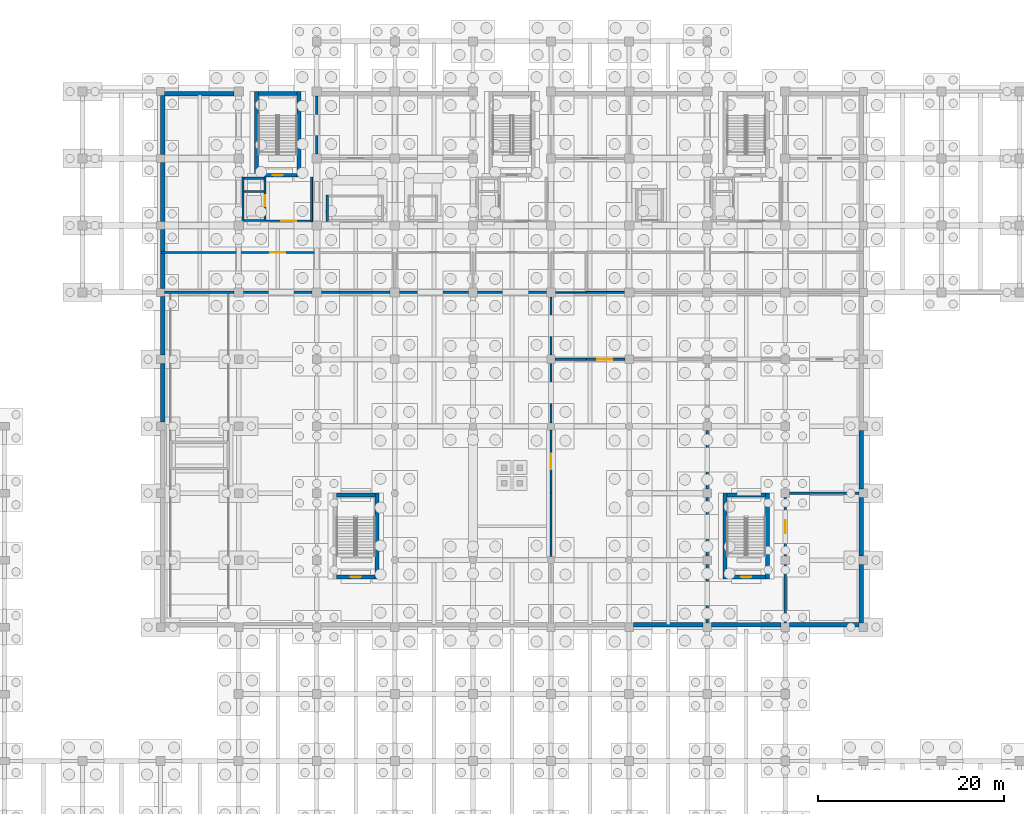
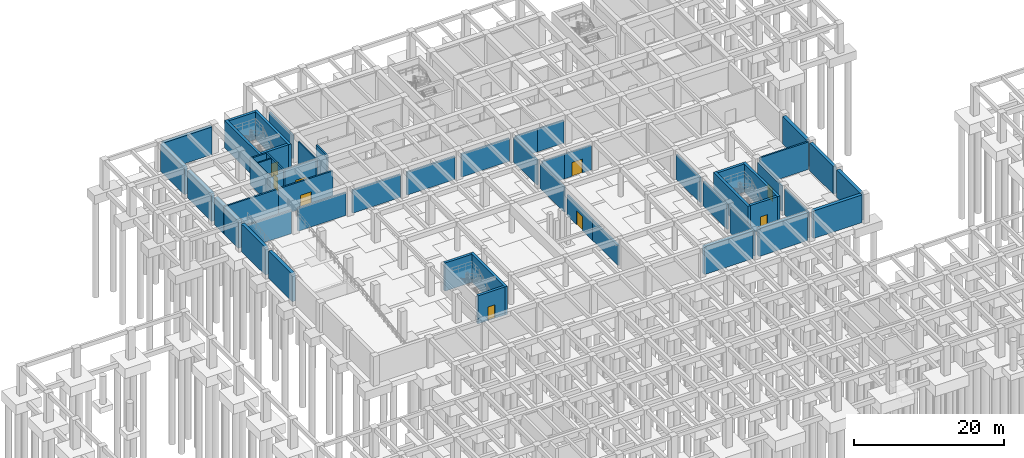
# One storey, part 18 of 26: 53 walls, 9 doors, 9 openings.
"""IFC4 building model written with IfcOpenShell, lengths in metres."""

from ifc_helpers import new_model, si_unit, direction, frame, frame_2d, origin, place, context, subcontext, project, spatial, rectangle, extrude, material, layer, layer_set, type_object, element, fill, save


model = new_model("IFC4")

# Units and contexts
model_context = context("Model", 3, precision=1e-05, world=origin(), true_north=direction((0.0, 1.0)))
body_context = subcontext(model_context, "Body", "Model", "MODEL_VIEW")
ifc_project = project(units=[si_unit("LENGTHUNIT", "METRE"), si_unit("AREAUNIT", "SQUARE_METRE"), si_unit("VOLUMEUNIT", "CUBIC_METRE"), si_unit("PLANEANGLEUNIT", "RADIAN"), si_unit("MASSUNIT", "GRAM", prefix="KILO")], contexts=[model_context])

# Site, building, storey
site_placement = place(None, origin())
site = spatial("IfcSite", under=ifc_project, at=site_placement, CompositionType="ELEMENT")
building_placement = place(site_placement, origin())
building = spatial("IfcBuilding", under=site, at=building_placement, Name="Kenerak Square Central Library", CompositionType="ELEMENT")
storey_placement = place(building_placement, frame((0.0, 0.0, -4.800048828125)))
storey = spatial("IfcBuildingStorey", under=building, at=storey_placement, Name="B1", CompositionType="ELEMENT", Elevation=-4.800048828125)

# Walls
ifc_material_1 = material(Name="Concrete C40/50", Category="concrete")
ifc_layer_1 = layer(ifc_material_1, 0.25)
ifc_layer_set_1 = layer_set([ifc_layer_1], Name="Concrete C40/50")
wall_type_1 = type_object("IfcWallType", Name="Archive Compartment Wall IW-250 C40/50", PredefinedType="SOLIDWALL", material=ifc_layer_set_1)
wall_1_placement = place(storey_placement, frame((92.0, 88.300048828125, 0.0), z_axis=(0.0, 0.0, 1.0), x_axis=(0.0, -1.0, 0.0)))
element("IfcWall", 1, at=wall_1_placement, inside=storey, type_object=wall_type_1, Name="Interior Wall IW-B1-01-E2-B1", PredefinedType="SOLIDWALL", context=body_context, shape_type="SweptSolid", body=[
    extrude(rectangle(XDim=6.25, YDim=0.25, at=frame_2d((3.125, 0.0))), origin(), (0.0, 0.0, 1.0), 4.050048828125),
])
wall_2_placement = place(storey_placement, frame((92.0, 81.14990234375, 0.0), z_axis=(0.0, 0.0, 1.0), x_axis=(0.0, -1.0, 0.0)))
element("IfcWall", 2, at=wall_2_placement, inside=storey, type_object=wall_type_1, Name="Interior Wall IW-B1-01-E2-B2", PredefinedType="SOLIDWALL", context=body_context, shape_type="SweptSolid", body=[
    extrude(rectangle(XDim=6.375, YDim=0.25, at=frame_2d((3.1875, 0.0))), origin(), (0.0, 0.0, 1.0), 4.050048828125),
])

# Wall, opening, door
wall_3_placement = place(storey_placement, frame((92.0, 74.02490234375, 0.0), z_axis=(0.0, 0.0, 1.0), x_axis=(0.0, -1.0, 0.0)))
wall_3 = element("IfcWall", 3, at=wall_3_placement, inside=storey, type_object=wall_type_1, Name="Interior Wall IW-B1-01-E2-B3", PredefinedType="SOLIDWALL", context=body_context, shape_type="SweptSolid", body=[
    extrude(rectangle(XDim=6.824951171875, YDim=0.25, at=frame_2d((3.41259765625, 0.0))), origin(), (0.0, 0.0, 1.0), 3.300048828125),
])
opening_1_placement = place(wall_3_placement, frame((2.58740234375, 0.0, 0.0)))
opening_1 = element("IfcOpeningElement", 4, at=opening_1_placement, cuts=wall_3, Name="Opening ID-08", PredefinedType="OPENING", context=body_context, shape_type="SweptSolid", body=[
    extrude(rectangle(XDim=1.64990234375, YDim=2.25, at=frame_2d((0.824951171875, 1.125))), frame((0.0, 0.135009765625, 0.0), z_axis=(0.0, -1.0, 0.0), x_axis=(1.0, 0.0, 0.0)), (0.0, 0.0, 1.0), 0.27001953125),
])
ifc_material_2 = material(Name="Steel S355", Category="steel")
door_type_1 = type_object("IfcDoorType", Name="Vault Fire Compartment Double Door ID-1650x2250 FD120S", OperationType="NOTDEFINED", PredefinedType="DOOR", material=ifc_material_2)
door_1_placement = place(opening_1_placement, origin())
door_1 = element("IfcDoor", 5, at=door_1_placement, inside=storey, type_object=door_type_1, Name="Basement Car Park Loop and Accessible Bays Door", OperationType="DOUBLE_DOOR_SINGLE_SWING", OverallHeight=2.25, OverallWidth=1.64990234375, PredefinedType="DOOR", context=body_context, shape_type="SweptSolid", body=[
    extrude(rectangle(XDim=1.64990234375, YDim=2.25, at=frame_2d((0.824951171875, 1.125))), frame((0.0, 0.02490234375, 0.0), z_axis=(0.0, -1.0, 0.0), x_axis=(1.0, 0.0, 0.0)), (0.0, 0.0, 1.0), 0.050048828125),
])
fill(opening_1, door_1)

# Walls
wall_4_placement = place(storey_placement, frame((92.0, 67.199951171875, 0.0), z_axis=(0.0, 0.0, 1.0), x_axis=(0.0, -1.0, 0.0)))
element("IfcWall", 6, at=wall_4_placement, inside=storey, type_object=wall_type_1, Name="Interior Wall IW-B1-01-E2-B4", PredefinedType="SOLIDWALL", context=body_context, shape_type="SweptSolid", body=[
    extrude(rectangle(XDim=6.824951171875, YDim=0.25, at=frame_2d((3.41259765625, 0.0))), origin(), (0.0, 0.0, 1.0), 3.300048828125),
])
wall_5_placement = place(storey_placement, frame((92.449951171875, 81.60009765625, 0.0), z_axis=(0.0, 0.0, 1.0), x_axis=(1.0, 0.0, 0.0)))
element("IfcWall", 7, at=wall_5_placement, inside=storey, type_object=wall_type_1, Name="Interior Wall IW-B1-02-N1-B1", PredefinedType="SOLIDWALL", context=body_context, shape_type="SweptSolid", body=[
    extrude(rectangle(XDim=3.35009765625, YDim=0.25, at=frame_2d((1.675048828125, 0.0))), origin(), (0.0, 0.0, 1.0), 4.0),
])

# Wall, opening, door
wall_6_placement = place(storey_placement, frame((95.800048828125, 81.60009765625, 0.0), z_axis=(0.0, 0.0, 1.0), x_axis=(1.0, 0.0, 0.0)))
wall_6 = element("IfcWall", 8, at=wall_6_placement, inside=storey, type_object=wall_type_1, Name="Interior Wall IW-B1-02-N1-B2", PredefinedType="SOLIDWALL", context=body_context, shape_type="SweptSolid", body=[
    extrude(rectangle(XDim=4.14990234375, YDim=0.25, at=frame_2d((2.074951171875, 0.0))), origin(), (0.0, 0.0, 1.0), 4.0),
])
opening_2_placement = place(wall_6_placement, frame((1.14990234375, 0.0, 0.0)))
opening_2 = element("IfcOpeningElement", 9, at=opening_2_placement, cuts=wall_6, Name="Opening ID-08", PredefinedType="OPENING", context=body_context, shape_type="SweptSolid", body=[
    extrude(rectangle(XDim=1.64990234375, YDim=2.25, at=frame_2d((0.824951171875, 1.125))), frame((0.0, 0.135009765625, 0.0), z_axis=(0.0, -1.0, 0.0), x_axis=(1.0, 0.0, 0.0)), (0.0, 0.0, 1.0), 0.27001953125),
])
door_2_placement = place(opening_2_placement, origin())
door_2 = element("IfcDoor", 10, at=door_2_placement, inside=storey, type_object=door_type_1, Name="Compact Mobile-Shelving Archive Vault West Door", OperationType="DOUBLE_DOOR_SINGLE_SWING", OverallHeight=2.25, OverallWidth=1.64990234375, PredefinedType="DOOR", context=body_context, shape_type="SweptSolid", body=[
    extrude(rectangle(XDim=1.64990234375, YDim=2.25, at=frame_2d((0.824951171875, 1.125))), frame((0.0, 0.02490234375, 0.0), z_axis=(0.0, -1.0, 0.0), x_axis=(1.0, 0.0, 0.0)), (0.0, 0.0, 1.0), 0.050048828125),
])
fill(opening_2, door_2)

# Wall
wall_7_placement = place(storey_placement, frame((50.0, 93.10009765625, 0.0), z_axis=(0.0, 0.0, 1.0), x_axis=(1.0, 0.0, 0.0)))
element("IfcWall", 11, at=wall_7_placement, inside=storey, type_object=wall_type_1, Name="Interior Wall IW-B1-04-N1-B1", PredefinedType="SOLIDWALL", context=body_context, shape_type="SweptSolid", body=[
    extrude(rectangle(XDim=8.39990234375, YDim=0.25, at=frame_2d((4.199951171875, 0.0))), origin(), (0.0, 0.0, 1.0), 4.5),
])

# Wall, opening, door
wall_8_placement = place(storey_placement, frame((58.39990234375, 93.10009765625, 0.0), z_axis=(0.0, 0.0, 1.0), x_axis=(1.0, 0.0, 0.0)))
wall_8 = element("IfcWall", 12, at=wall_8_placement, inside=storey, type_object=wall_type_1, Name="Interior Wall IW-B1-04-N1-B2", PredefinedType="SOLIDWALL", context=body_context, shape_type="SweptSolid", body=[
    extrude(rectangle(XDim=8.400146484375, YDim=0.25, at=frame_2d((4.2001953125, 0.0))), origin(), (0.0, 0.0, 1.0), 4.5),
])
opening_3_placement = place(wall_8_placement, frame((3.375, 0.0, 0.0)))
opening_3 = element("IfcOpeningElement", 13, at=opening_3_placement, cuts=wall_8, Name="Opening ID-08", PredefinedType="OPENING", context=body_context, shape_type="SweptSolid", body=[
    extrude(rectangle(XDim=1.64990234375, YDim=2.25, at=frame_2d((0.824951171875, 1.125))), frame((0.0, 0.135009765625, 0.0), z_axis=(0.0, -1.0, 0.0), x_axis=(1.0, 0.0, 0.0)), (0.0, 0.0, 1.0), 0.27001953125),
])
door_3_placement = place(opening_3_placement, origin())
door_3 = element("IfcDoor", 14, at=door_3_placement, inside=storey, type_object=door_type_1, Name="Rare-Books Cold Preservation Vault Door", OperationType="DOUBLE_DOOR_SINGLE_SWING", OverallHeight=2.25, OverallWidth=1.64990234375, PredefinedType="DOOR", context=body_context, shape_type="SweptSolid", body=[
    extrude(rectangle(XDim=1.64990234375, YDim=2.25, at=frame_2d((0.824951171875, 1.125))), frame((0.0, 0.02490234375, 0.0), z_axis=(0.0, -1.0, 0.0), x_axis=(1.0, 0.0, 0.0)), (0.0, 0.0, 1.0), 0.050048828125),
])
fill(opening_3, door_3)

# Wall
wall_9_placement = place(storey_placement, frame((117.199951171875, 53.25, 0.0), z_axis=(0.0, 0.0, 1.0), x_axis=(0.0, 1.0, 0.0)))
element("IfcWall", 15, at=wall_9_placement, inside=storey, type_object=wall_type_1, Name="Interior Wall IW-B1-05-W2-B1", PredefinedType="SOLIDWALL", context=body_context, shape_type="SweptSolid", body=[
    extrude(rectangle(XDim=6.300048828125, YDim=0.25, at=frame_2d((3.14990234375, 0.0))), origin(), (0.0, 0.0, 1.0), 4.199951171875),
])

# Wall, opening, door
wall_10_placement = place(storey_placement, frame((117.199951171875, 60.449951171875, 0.0), z_axis=(0.0, 0.0, 1.0), x_axis=(0.0, 1.0, 0.0)))
wall_10 = element("IfcWall", 16, at=wall_10_placement, inside=storey, type_object=wall_type_1, Name="Interior Wall IW-B1-05-W2-B2", PredefinedType="SOLIDWALL", context=body_context, shape_type="SweptSolid", body=[
    extrude(rectangle(XDim=6.300048828125, YDim=0.25, at=frame_2d((3.14990234375, 0.0))), origin(), (0.0, 0.0, 1.0), 4.199951171875),
])
opening_4_placement = place(wall_10_placement, frame((2.449951171875, 0.0, 0.0)))
opening_4 = element("IfcOpeningElement", 17, at=opening_4_placement, cuts=wall_10, Name="Opening ID-07", PredefinedType="OPENING", context=body_context, shape_type="SweptSolid", body=[
    extrude(rectangle(XDim=1.39990234375, YDim=2.199951171875, at=frame_2d((0.699951171875, 1.10009765625))), frame((0.0, 0.135009765625, 0.0), z_axis=(0.0, -1.0, 0.0), x_axis=(1.0, 0.0, 0.0)), (0.0, 0.0, 1.0), 0.27001953125),
])
door_type_2 = type_object("IfcDoorType", Name="Plant and Store Unequal Pair Door ID-1400x2200 FD60S", OperationType="NOTDEFINED", PredefinedType="DOOR", material=ifc_material_2)
door_4_placement = place(opening_4_placement, origin())
door_4 = element("IfcDoor", 18, at=door_4_placement, inside=storey, type_object=door_type_2, Name="Central Chiller and Sprinkler Pump Plant Room Door", OperationType="SINGLE_SWING_LEFT", OverallHeight=2.199951171875, OverallWidth=1.39990234375, PredefinedType="DOOR", context=body_context, shape_type="SweptSolid", body=[
    extrude(rectangle(XDim=1.39990234375, YDim=2.199951171875, at=frame_2d((0.699951171875, 1.10009765625))), frame((0.0, 0.02490234375, 0.0), z_axis=(0.0, -1.0, 0.0), x_axis=(1.0, 0.0, 0.0)), (0.0, 0.0, 1.0), 0.050048828125),
])
fill(opening_4, door_4)

# Walls
wall_11_placement = place(storey_placement, frame((50.425048828125, 88.800048828125, 0.0), z_axis=(0.0, 0.0, 1.0), x_axis=(1.0, 0.0, 0.0)))
element("IfcWall", 19, at=wall_11_placement, inside=storey, type_object=wall_type_1, Name="Interior Wall IW-B1-01-N1-B1", PredefinedType="SOLIDWALL", context=body_context, shape_type="SweptSolid", body=[
    extrude(rectangle(XDim=7.474853515625, YDim=0.25, at=frame_2d((3.7373046875, 0.0))), origin(), (0.0, 0.0, 1.0), 3.75),
])
wall_12_placement = place(storey_placement, frame((58.89990234375, 88.800048828125, 0.0), z_axis=(0.0, 0.0, 1.0), x_axis=(1.0, 0.0, 0.0)))
element("IfcWall", 20, at=wall_12_placement, inside=storey, type_object=wall_type_1, Name="Interior Wall IW-B1-01-N1-B2", PredefinedType="SOLIDWALL", context=body_context, shape_type="SweptSolid", body=[
    extrude(rectangle(XDim=7.400146484375, YDim=0.25, at=frame_2d((3.7001953125, 0.0))), origin(), (0.0, 0.0, 1.0), 3.75),
])
wall_13_placement = place(storey_placement, frame((67.300048828125, 88.800048828125, 0.0), z_axis=(0.0, 0.0, 1.0), x_axis=(1.0, 0.0, 0.0)))
element("IfcWall", 21, at=wall_13_placement, inside=storey, type_object=wall_type_1, Name="Interior Wall IW-B1-01-N1-B3", PredefinedType="SOLIDWALL", context=body_context, shape_type="SweptSolid", body=[
    extrude(rectangle(XDim=7.39990234375, YDim=0.25, at=frame_2d((3.699951171875, 0.0))), origin(), (0.0, 0.0, 1.0), 3.75),
])
wall_14_placement = place(storey_placement, frame((75.699951171875, 88.800048828125, 0.0), z_axis=(0.0, 0.0, 1.0), x_axis=(1.0, 0.0, 0.0)))
element("IfcWall", 22, at=wall_14_placement, inside=storey, type_object=wall_type_1, Name="Interior Wall IW-B1-01-N1-B4", PredefinedType="SOLIDWALL", context=body_context, shape_type="SweptSolid", body=[
    extrude(rectangle(XDim=7.400146484375, YDim=0.25, at=frame_2d((3.7001953125, 0.0))), origin(), (0.0, 0.0, 1.0), 3.75),
])
wall_15_placement = place(storey_placement, frame((84.10009765625, 88.800048828125, 0.0), z_axis=(0.0, 0.0, 1.0), x_axis=(1.0, 0.0, 0.0)))
element("IfcWall", 23, at=wall_15_placement, inside=storey, type_object=wall_type_1, Name="Interior Wall IW-B1-01-N1-B5", PredefinedType="SOLIDWALL", context=body_context, shape_type="SweptSolid", body=[
    extrude(rectangle(XDim=7.39990234375, YDim=0.25, at=frame_2d((3.699951171875, 0.0))), origin(), (0.0, 0.0, 1.0), 3.75),
])
for number, where, z_axis, x_axis, name in (
    (24, (108.800048828125, 73.949951171875, 0.0), (0.0, 0.0, 1.0), (0.0, -1.0, 0.0), "Interior Wall IW-B1-02-E3-B2"),
    (25, (108.800048828125, 66.75, 0.0), (0.0, 0.0, 1.0), (0.0, -1.0, 0.0), "Interior Wall IW-B1-02-E3-B3"),
    (26, (108.800048828125, 59.550048828125, 0.0), (0.0, 0.0, 1.0), (0.0, -1.0, 0.0), "Interior Wall IW-B1-02-E3-B4"),
):
    element("IfcWall", number, at=place(storey_placement, frame(where, z_axis=z_axis, x_axis=x_axis)), inside=storey, type_object=wall_type_1, Name=name, PredefinedType="SOLIDWALL", context=body_context, shape_type="SweptSolid", body=[
        extrude(rectangle(XDim=6.300048828125, YDim=0.25, at=frame_2d((3.14990234375, 0.0))), origin(), (0.0, 0.0, 1.0), 4.050048828125),
    ])
wall_16_placement = place(storey_placement, frame((125.14990234375, 67.199951171875, 0.0), z_axis=(0.0, 0.0, 1.0), x_axis=(-1.0, 0.0, 0.0)))
element("IfcWall", 27, at=wall_16_placement, inside=storey, type_object=wall_type_1, Name="Interior Wall IW-B1-03-S2-B1", PredefinedType="SOLIDWALL", context=body_context, shape_type="SweptSolid", body=[
    extrude(rectangle(XDim=7.5, YDim=0.25, at=frame_2d((3.75, 0.0))), origin(), (0.0, 0.0, 1.0), 4.5),
])
wall_17_placement = place(storey_placement, frame((66.800048828125, 103.699951171875, 0.0), z_axis=(0.0, 0.0, 1.0), x_axis=(0.0, 1.0, 0.0)))
element("IfcWall", 28, at=wall_17_placement, inside=storey, type_object=wall_type_1, Name="Interior Wall IW-B1-11-W2-B1", PredefinedType="SOLIDWALL", context=body_context, shape_type="SweptSolid", body=[
    extrude(rectangle(XDim=6.199951171875, YDim=0.25, at=frame_2d((3.10009765625, 0.0))), origin(), (0.0, 0.0, 1.0), 3.85009765625),
])
ifc_layer_2 = layer(ifc_material_1, 0.39990234375)
ifc_layer_set_2 = layer_set([ifc_layer_2], Name="Concrete C40/50")
wall_type_2 = type_object("IfcWallType", Name="Core Shear Wall CW-400 C40/50", PredefinedType="SHEAR", material=ifc_layer_set_2)
for number, where, z_axis, x_axis, name in (
    (29, (60.320068359375, 101.199951171875, 0.0), (0.0, 0.0, 1.0), (0.0, 1.0, 0.0), "Core Wall CW-C1 B1 West"),
    (30, (64.8798828125, 110.39990234375, 0.0), (0.0, 0.0, 1.0), (0.0, -1.0, 0.0), "Core Wall CW-C1 B1 East"),
):
    element("IfcWall", number, at=place(storey_placement, frame(where, z_axis=z_axis, x_axis=x_axis)), inside=storey, type_object=wall_type_2, Name=name, PredefinedType="SHEAR", context=body_context, shape_type="SweptSolid", body=[
        extrude(rectangle(XDim=9.199951171875, YDim=0.39990234375, at=frame_2d((4.60009765625, 0.0))), origin(), (0.0, 0.0, 1.0), 4.5),
    ])

# Wall, opening, door
wall_18_placement = place(storey_placement, frame((64.679931640625, 101.39990234375, 0.0), z_axis=(0.0, 0.0, 1.0), x_axis=(-1.0, 0.0, 0.0)))
wall_18 = element("IfcWall", 31, at=wall_18_placement, inside=storey, type_object=wall_type_2, Name="Core Wall CW-C1 B1 South", PredefinedType="SHEAR", context=body_context, shape_type="SweptSolid", body=[
    extrude(rectangle(XDim=4.159912109375, YDim=0.39990234375, at=frame_2d((2.080078125, 0.0))), origin(), (0.0, 0.0, 1.0), 4.5),
])
opening_5_placement = place(wall_18_placement, frame((1.530029296875, 0.0, 0.0)))
opening_5 = element("IfcOpeningElement", 32, at=opening_5_placement, cuts=wall_18, Name="Opening D-ST1", PredefinedType="OPENING", context=body_context, shape_type="SweptSolid", body=[
    extrude(rectangle(XDim=1.10009765625, YDim=2.199951171875, at=frame_2d((0.550048828125, 1.10009765625))), frame((0.0, 0.2099609375, 0.0), z_axis=(0.0, -1.0, 0.0), x_axis=(1.0, 0.0, 0.0)), (0.0, 0.0, 1.0), 0.419921875),
])
door_type_3 = type_object("IfcDoorType", Name="Protected Stair Fire Door FD-1100x2200 FD60S", OperationType="NOTDEFINED", PredefinedType="DOOR", material=ifc_material_2)
door_5_placement = place(opening_5_placement, frame((1.10009765625, 0.0, 0.0), z_axis=(0.0, 0.0, 1.0), x_axis=(-1.0, 0.0, 0.0)))
door_5 = element("IfcDoor", 33, at=door_5_placement, inside=storey, type_object=door_type_3, Name="Stair Door ST-01 B1", OperationType="SINGLE_SWING_RIGHT", OverallHeight=2.199951171875, OverallWidth=1.10009765625, PredefinedType="DOOR", context=body_context, shape_type="SweptSolid", body=[
    extrude(rectangle(XDim=1.10009765625, YDim=2.199951171875, at=frame_2d((0.550048828125, 1.10009765625))), frame((0.0, 0.02490234375, 0.0), z_axis=(0.0, -1.0, 0.0), x_axis=(1.0, 0.0, 0.0)), (0.0, 0.0, 1.0), 0.050048828125),
])
fill(opening_5, door_5)

# Walls
wall_19_placement = place(storey_placement, frame((60.52001953125, 110.199951171875, 0.0), z_axis=(0.0, 0.0, 1.0), x_axis=(1.0, 0.0, 0.0)))
element("IfcWall", 34, at=wall_19_placement, inside=storey, type_object=wall_type_2, Name="Core Wall CW-C1 B1 North", PredefinedType="SHEAR", context=body_context, shape_type="SweptSolid", body=[
    extrude(rectangle(XDim=4.159912109375, YDim=0.39990234375, at=frame_2d((2.080078125, 0.0))), origin(), (0.0, 0.0, 1.0), 4.5),
])
wall_20_placement = place(storey_placement, frame((73.280029296875, 67.199951171875, 0.0), z_axis=(0.0, 0.0, 1.0), x_axis=(0.0, -1.0, 0.0)))
element("IfcWall", 35, at=wall_20_placement, inside=storey, type_object=wall_type_2, Name="Core Wall CW-C8 B1 East", PredefinedType="SHEAR", context=body_context, shape_type="SweptSolid", body=[
    extrude(rectangle(XDim=9.199951171875, YDim=0.39990234375, at=frame_2d((4.60009765625, 0.0))), origin(), (0.0, 0.0, 1.0), 4.574951171875),
])

# Wall, opening, door
wall_21_placement = place(storey_placement, frame((73.080078125, 58.199951171875, 0.0), z_axis=(0.0, 0.0, 1.0), x_axis=(-1.0, 0.0, 0.0)))
wall_21 = element("IfcWall", 36, at=wall_21_placement, inside=storey, type_object=wall_type_2, Name="Core Wall CW-C8 B1 South", PredefinedType="SHEAR", context=body_context, shape_type="SweptSolid", body=[
    extrude(rectangle(XDim=4.16015625, YDim=0.39990234375, at=frame_2d((2.080078125, 0.0))), origin(), (0.0, 0.0, 1.0), 4.574951171875),
])
opening_6_placement = place(wall_21_placement, frame((1.530029296875, 0.0, 0.0)))
opening_6 = element("IfcOpeningElement", 37, at=opening_6_placement, cuts=wall_21, Name="Opening D-ST1", PredefinedType="OPENING", context=body_context, shape_type="SweptSolid", body=[
    extrude(rectangle(XDim=1.10009765625, YDim=2.199951171875, at=frame_2d((0.550048828125, 1.10009765625))), frame((0.0, 0.2099609375, 0.0), z_axis=(0.0, -1.0, 0.0), x_axis=(1.0, 0.0, 0.0)), (0.0, 0.0, 1.0), 0.419921875),
])
door_6_placement = place(opening_6_placement, frame((1.10009765625, 0.0, 0.0), z_axis=(0.0, 0.0, 1.0), x_axis=(-1.0, 0.0, 0.0)))
door_6 = element("IfcDoor", 38, at=door_6_placement, inside=storey, type_object=door_type_3, Name="Stair Door ST-08 B1", OperationType="SINGLE_SWING_LEFT", OverallHeight=2.199951171875, OverallWidth=1.10009765625, PredefinedType="DOOR", context=body_context, shape_type="SweptSolid", body=[
    extrude(rectangle(XDim=1.10009765625, YDim=2.199951171875, at=frame_2d((0.550048828125, 1.10009765625))), frame((0.0, 0.02490234375, 0.0), z_axis=(0.0, -1.0, 0.0), x_axis=(1.0, 0.0, 0.0)), (0.0, 0.0, 1.0), 0.050048828125),
])
fill(opening_6, door_6)

# Walls
wall_22_placement = place(storey_placement, frame((68.919921875, 67.0, 0.0), z_axis=(0.0, 0.0, 1.0), x_axis=(1.0, 0.0, 0.0)))
element("IfcWall", 39, at=wall_22_placement, inside=storey, type_object=wall_type_2, Name="Core Wall CW-C8 B1 North", PredefinedType="SHEAR", context=body_context, shape_type="SweptSolid", body=[
    extrude(rectangle(XDim=4.16015625, YDim=0.39990234375, at=frame_2d((2.080078125, 0.0))), origin(), (0.0, 0.0, 1.0), 4.574951171875),
])
for number, where, z_axis, x_axis, name in (
    (40, (110.719970703125, 58.0, 0.0), (0.0, 0.0, 1.0), (0.0, 1.0, 0.0), "Core Wall CW-C9 B1 West"),
    (41, (115.280029296875, 67.199951171875, 0.0), (0.0, 0.0, 1.0), (0.0, -1.0, 0.0), "Core Wall CW-C9 B1 East"),
):
    element("IfcWall", number, at=place(storey_placement, frame(where, z_axis=z_axis, x_axis=x_axis)), inside=storey, type_object=wall_type_2, Name=name, PredefinedType="SHEAR", context=body_context, shape_type="SweptSolid", body=[
        extrude(rectangle(XDim=9.199951171875, YDim=0.39990234375, at=frame_2d((4.60009765625, 0.0))), origin(), (0.0, 0.0, 1.0), 4.574951171875),
    ])

# Wall, opening, door
wall_23_placement = place(storey_placement, frame((115.080078125, 58.199951171875, 0.0), z_axis=(0.0, 0.0, 1.0), x_axis=(-1.0, 0.0, 0.0)))
wall_23 = element("IfcWall", 42, at=wall_23_placement, inside=storey, type_object=wall_type_2, Name="Core Wall CW-C9 B1 South", PredefinedType="SHEAR", context=body_context, shape_type="SweptSolid", body=[
    extrude(rectangle(XDim=4.16015625, YDim=0.39990234375, at=frame_2d((2.080078125, 0.0))), origin(), (0.0, 0.0, 1.0), 4.574951171875),
])
opening_7_placement = place(wall_23_placement, frame((1.530029296875, 0.0, 0.0)))
opening_7 = element("IfcOpeningElement", 43, at=opening_7_placement, cuts=wall_23, Name="Opening D-ST1", PredefinedType="OPENING", context=body_context, shape_type="SweptSolid", body=[
    extrude(rectangle(XDim=1.10009765625, YDim=2.199951171875, at=frame_2d((0.550048828125, 1.10009765625))), frame((0.0, 0.2099609375, 0.0), z_axis=(0.0, -1.0, 0.0), x_axis=(1.0, 0.0, 0.0)), (0.0, 0.0, 1.0), 0.419921875),
])
door_7_placement = place(opening_7_placement, frame((1.10009765625, 0.0, 0.0), z_axis=(0.0, 0.0, 1.0), x_axis=(-1.0, 0.0, 0.0)))
door_7 = element("IfcDoor", 44, at=door_7_placement, inside=storey, type_object=door_type_3, Name="Stair Door ST-09 B1", OperationType="SINGLE_SWING_RIGHT", OverallHeight=2.199951171875, OverallWidth=1.10009765625, PredefinedType="DOOR", context=body_context, shape_type="SweptSolid", body=[
    extrude(rectangle(XDim=1.10009765625, YDim=2.199951171875, at=frame_2d((0.550048828125, 1.10009765625))), frame((0.0, 0.02490234375, 0.0), z_axis=(0.0, -1.0, 0.0), x_axis=(1.0, 0.0, 0.0)), (0.0, 0.0, 1.0), 0.050048828125),
])
fill(opening_7, door_7)

# Walls
wall_24_placement = place(storey_placement, frame((110.919921875, 67.0, 0.0), z_axis=(0.0, 0.0, 1.0), x_axis=(1.0, 0.0, 0.0)))
element("IfcWall", 45, at=wall_24_placement, inside=storey, type_object=wall_type_2, Name="Core Wall CW-C9 B1 North", PredefinedType="SHEAR", context=body_context, shape_type="SweptSolid", body=[
    extrude(rectangle(XDim=4.16015625, YDim=0.39990234375, at=frame_2d((2.080078125, 0.0))), origin(), (0.0, 0.0, 1.0), 4.574951171875),
])
ifc_layer_3 = layer(ifc_material_1, 0.199951171875)
ifc_layer_set_3 = layer_set([ifc_layer_3], Name="Concrete C40/50")
wall_type_3 = type_object("IfcWallType", Name="Lobby Compartment Wall LW-200 C40/50", PredefinedType="SOLIDWALL", material=ifc_layer_set_3)
wall_25_placement = place(storey_placement, frame((59.0, 99.64990234375, 0.0), z_axis=(0.0, 0.0, 1.0), x_axis=(1.0, 0.0, 0.0)))
element("IfcWall", 46, at=wall_25_placement, inside=storey, type_object=wall_type_3, Name="Riser Divider Wall C1 B1", PredefinedType="SOLIDWALL", context=body_context, shape_type="SweptSolid", body=[
    extrude(rectangle(XDim=2.10009765625, YDim=0.199951171875, at=frame_2d((1.050048828125, 0.0))), origin(), (0.0, 0.0, 1.0), 4.5),
])
wall_26_placement = place(storey_placement, frame((66.25, 101.199951171875, 0.0), z_axis=(0.0, 0.0, 1.0), x_axis=(0.0, -1.0, 0.0)))
element("IfcWall", 47, at=wall_26_placement, inside=storey, type_object=wall_type_3, Name="Firefighting Lobby East Wall C1 B1", PredefinedType="SOLIDWALL", context=body_context, shape_type="SweptSolid", body=[
    extrude(rectangle(XDim=4.800048828125, YDim=0.199951171875, at=frame_2d((2.39990234375, 0.0))), origin(), (0.0, 0.0, 1.0), 4.5),
])

# Wall, opening, door
wall_27_placement = place(storey_placement, frame((66.14990234375, 96.5, 0.0), z_axis=(0.0, 0.0, 1.0), x_axis=(-1.0, 0.0, 0.0)))
wall_27 = element("IfcWall", 48, at=wall_27_placement, inside=storey, type_object=wall_type_3, Name="Firefighting Lobby South Wall C1 B1", PredefinedType="SOLIDWALL", context=body_context, shape_type="SweptSolid", body=[
    extrude(rectangle(XDim=4.7998046875, YDim=0.199951171875, at=frame_2d((2.39990234375, 0.0))), origin(), (0.0, 0.0, 1.0), 4.5),
])
opening_8_placement = place(wall_27_placement, frame((1.550048828125, 0.0, 0.0)))
opening_8 = element("IfcOpeningElement", 49, at=opening_8_placement, cuts=wall_27, Name="Opening D-FFL", PredefinedType="OPENING", context=body_context, shape_type="SweptSolid", body=[
    extrude(rectangle(XDim=1.60009765625, YDim=2.199951171875, at=frame_2d((0.800048828125, 1.10009765625))), frame((0.0, 0.10986328125, 0.0), z_axis=(0.0, -1.0, 0.0), x_axis=(1.0, 0.0, 0.0)), (0.0, 0.0, 1.0), 0.219970703125),
])
door_type_4 = type_object("IfcDoorType", Name="Firefighting Lobby Double Door FD-1600x2200 FD60S", OperationType="NOTDEFINED", PredefinedType="DOOR", material=ifc_material_2)
door_8_placement = place(opening_8_placement, frame((1.60009765625, 0.0, 0.0), z_axis=(0.0, 0.0, 1.0), x_axis=(-1.0, 0.0, 0.0)))
door_8 = element("IfcDoor", 50, at=door_8_placement, inside=storey, type_object=door_type_4, Name="Firefighting Lobby Door C1 B1", OperationType="DOUBLE_DOOR_SINGLE_SWING", OverallHeight=2.199951171875, OverallWidth=1.60009765625, PredefinedType="DOOR", context=body_context, shape_type="SweptSolid", body=[
    extrude(rectangle(XDim=1.60009765625, YDim=2.199951171875, at=frame_2d((0.800048828125, 1.10009765625))), frame((0.0, 0.02490234375, 0.0), z_axis=(0.0, -1.0, 0.0), x_axis=(1.0, 0.0, 0.0)), (0.0, 0.0, 1.0), 0.050048828125),
])
fill(opening_8, door_8)

# Walls
ifc_material_3 = material(Name="Precast concrete C40/50", Category="concrete")
ifc_layer_4 = layer(ifc_material_3, 0.199951171875)
ifc_layer_set_4 = layer_set([ifc_layer_4], Name="Precast concrete C40/50")
wall_type_4 = type_object("IfcWallType", Name="Protected Corridor Fire Wall IW-200 C40/50", PredefinedType="PARTITIONING", material=ifc_layer_set_4)
wall_28_placement = place(storey_placement, frame((99.89990234375, 88.800048828125, 0.0), z_axis=(0.0, 0.0, 1.0), x_axis=(-1.0, 0.0, 0.0)))
element("IfcWall", 51, at=wall_28_placement, inside=storey, type_object=wall_type_4, Name="Interior Wall IW-B1-07-S2-B4", PredefinedType="PARTITIONING", context=body_context, shape_type="SweptSolid", body=[
    extrude(rectangle(XDim=4.099853515625, YDim=0.199951171875, at=frame_2d((2.0498046875, 0.0))), origin(), (0.0, 0.0, 1.0), 3.75),
])
ifc_layer_5 = layer(ifc_material_3, 0.175048828125)
ifc_layer_set_5 = layer_set([ifc_layer_5], Name="Precast concrete C40/50")
wall_type_5 = type_object("IfcWallType", Name="Sanitary Plumbing Chase Wall IW-175 C40/50", PredefinedType="PLUMBINGWALL", material=ifc_layer_set_5)
wall_29_placement = place(storey_placement, frame((95.800048828125, 88.800048828125, 0.0), z_axis=(0.0, 0.0, 1.0), x_axis=(-1.0, 0.0, 0.0)))
element("IfcWall", 52, at=wall_29_placement, inside=storey, type_object=wall_type_5, Name="Interior Wall IW-B1-10-S1-B1", PredefinedType="PLUMBINGWALL", context=body_context, shape_type="SweptSolid", body=[
    extrude(rectangle(XDim=3.300048828125, YDim=0.175048828125, at=frame_2d((1.64990234375, 0.0))), origin(), (0.0, 0.0, 1.0), 3.75),
])
ifc_layer_6 = layer(ifc_material_1, 0.25)
ifc_layer_set_6 = layer_set([ifc_layer_6], Name="Concrete C40/50")
wall_type_6 = type_object("IfcWallType", Name="Shaft Enclosure Wall SW-250 C40/50", PredefinedType="SOLIDWALL", material=ifc_layer_set_6)
wall_30_placement = place(storey_placement, frame((58.875, 96.39990234375, 0.0), z_axis=(0.0, 0.0, 1.0), x_axis=(0.0, 1.0, 0.0)))
element("IfcWall", 53, at=wall_30_placement, inside=storey, type_object=wall_type_6, Name="Core Wall FLW-C1 B1 West", PredefinedType="SOLIDWALL", context=body_context, shape_type="SweptSolid", body=[
    extrude(rectangle(XDim=4.800048828125, YDim=0.25, at=frame_2d((2.39990234375, 0.0))), origin(), (0.0, 0.0, 1.0), 4.5),
])

# Wall, opening, door
wall_31_placement = place(storey_placement, frame((61.22509765625, 101.199951171875, 0.0), z_axis=(0.0, 0.0, 1.0), x_axis=(0.0, -1.0, 0.0)))
wall_31 = element("IfcWall", 54, at=wall_31_placement, inside=storey, type_object=wall_type_6, Name="Core Wall FLW-C1 B1 East", PredefinedType="SOLIDWALL", context=body_context, shape_type="SweptSolid", body=[
    extrude(rectangle(XDim=4.800048828125, YDim=0.25, at=frame_2d((2.39990234375, 0.0))), origin(), (0.0, 0.0, 1.0), 4.5),
])
opening_9_placement = place(wall_31_placement, frame((1.949951171875, 0.0, 0.0)))
opening_9 = element("IfcOpeningElement", 55, at=opening_9_placement, cuts=wall_31, Name="Opening LD-FL", PredefinedType="OPENING", context=body_context, shape_type="SweptSolid", body=[
    extrude(rectangle(XDim=1.199951171875, YDim=2.199951171875, at=frame_2d((0.60009765625, 1.10009765625))), frame((0.0, 0.135009765625, 0.0), z_axis=(0.0, -1.0, 0.0), x_axis=(1.0, 0.0, 0.0)), (0.0, 0.0, 1.0), 0.27001953125),
])
door_type_5 = type_object("IfcDoorType", Name="Firefighting Lift Sliding Landing Door LD-1200x2200 FD120S", OperationType="NOTDEFINED", PredefinedType="DOOR", material=ifc_material_2)
door_9_placement = place(opening_9_placement, origin())
door_9 = element("IfcDoor", 56, at=door_9_placement, inside=storey, type_object=door_type_5, Name="Firefighting Lift Landing Door FL-01 B1", OperationType="SLIDING_TO_LEFT", OverallHeight=2.199951171875, OverallWidth=1.199951171875, PredefinedType="DOOR", context=body_context, shape_type="SweptSolid", body=[
    extrude(rectangle(XDim=1.199951171875, YDim=2.199951171875, at=frame_2d((0.60009765625, 1.10009765625))), frame((0.0, 0.02490234375, 0.0), z_axis=(0.0, -1.0, 0.0), x_axis=(1.0, 0.0, 0.0)), (0.0, 0.0, 1.0), 0.050048828125),
])
fill(opening_9, door_9)

# Walls
for number, where, z_axis, x_axis, name in (
    (57, (61.10009765625, 96.52490234375, 0.0), (0.0, 0.0, 1.0), (-1.0, 0.0, 0.0), "Core Wall FLW-C1 B1 South"),
    (58, (59.0, 101.074951171875, 0.0), (0.0, 0.0, 1.0), (1.0, 0.0, 0.0), "Core Wall FLW-C1 B1 North"),
):
    element("IfcWall", number, at=place(storey_placement, frame(where, z_axis=z_axis, x_axis=x_axis)), inside=storey, type_object=wall_type_6, Name=name, PredefinedType="SOLIDWALL", context=body_context, shape_type="SweptSolid", body=[
        extrude(rectangle(XDim=2.10009765625, YDim=0.25, at=frame_2d((1.050048828125, 0.0))), origin(), (0.0, 0.0, 1.0), 4.5),
    ])
wall_32_placement = place(storey_placement, frame((67.925048828125, 96.39990234375, 0.0), z_axis=(0.0, 0.0, 1.0), x_axis=(0.0, 1.0, 0.0)))
element("IfcWall", 59, at=wall_32_placement, inside=storey, type_object=wall_type_6, Name="Core Wall PLPITW B1 West", PredefinedType="SOLIDWALL", context=body_context, shape_type="SweptSolid", body=[
    extrude(rectangle(XDim=2.900146484375, YDim=0.25, at=frame_2d((1.4501953125, 0.0))), origin(), (0.0, 0.0, 1.0), 4.525146484375),
])
ifc_layer_7 = layer(ifc_material_1, 0.5)
ifc_layer_set_7 = layer_set([ifc_layer_7], Name="Concrete C40/50")
wall_type_7 = type_object("IfcWallType", Name="Tanked Basement Retaining Wall RW-500 C40/50", PredefinedType="USERDEFINED", material=ifc_layer_set_7)
for number, where, z_axis, x_axis, name in (
    (60, (125.14990234375, 53.050048828125, 0.0), (0.0, 0.0, 1.0), (-1.0, 0.0, 0.0), "Basement Retaining Wall B1 0001"),
    (61, (116.75, 53.050048828125, 0.0), (0.0, 0.0, 1.0), (-1.0, 0.0, 0.0), "Basement Retaining Wall B1 0002"),
    (62, (108.35009765625, 53.050048828125, 0.0), (0.0, 0.0, 1.0), (-1.0, 0.0, 0.0), "Basement Retaining Wall B1 0003"),
):
    element("IfcWall", number, at=place(storey_placement, frame(where, z_axis=z_axis, x_axis=x_axis)), inside=storey, type_object=wall_type_7, Name=name, ObjectType="RETAINING WALL", PredefinedType="USERDEFINED", context=body_context, shape_type="SweptSolid", body=[
        extrude(rectangle(XDim=7.5, YDim=0.5, at=frame_2d((3.75, 0.0))), origin(), (0.0, 0.0, 1.0), 4.5),
    ])
wall_33_placement = place(storey_placement, frame((50.25, 74.85009765625, 0.0), z_axis=(0.0, 0.0, 1.0), x_axis=(0.0, 1.0, 0.0)))
element("IfcWall", 63, at=wall_33_placement, inside=storey, type_object=wall_type_7, Name="Basement Retaining Wall B1 0013", ObjectType="RETAINING WALL", PredefinedType="USERDEFINED", context=body_context, shape_type="SweptSolid", body=[
    extrude(rectangle(XDim=6.2998046875, YDim=0.5, at=frame_2d((3.14990234375, 0.0))), origin(), (0.0, 0.0, 1.0), 4.5),
])
wall_34_placement = place(storey_placement, frame((50.25, 82.050048828125, 0.0), z_axis=(0.0, 0.0, 1.0), x_axis=(0.0, 1.0, 0.0)))
element("IfcWall", 64, at=wall_34_placement, inside=storey, type_object=wall_type_7, Name="Basement Retaining Wall B1 0014", ObjectType="RETAINING WALL", PredefinedType="USERDEFINED", context=body_context, shape_type="SweptSolid", body=[
    extrude(rectangle(XDim=6.324951171875, YDim=0.5, at=frame_2d((3.16259765625, 0.0))), origin(), (0.0, 0.0, 1.0), 4.5),
])
for number, where, z_axis, x_axis, name in (
    (65, (50.25, 89.22509765625, 0.0), (0.0, 0.0, 1.0), (0.0, 1.0, 0.0), "Basement Retaining Wall B1 0015"),
    (66, (50.25, 96.425048828125, 0.0), (0.0, 0.0, 1.0), (0.0, 1.0, 0.0), "Basement Retaining Wall B1 0016"),
):
    element("IfcWall", number, at=place(storey_placement, frame(where, z_axis=z_axis, x_axis=x_axis)), inside=storey, type_object=wall_type_7, Name=name, ObjectType="RETAINING WALL", PredefinedType="USERDEFINED", context=body_context, shape_type="SweptSolid", body=[
        extrude(rectangle(XDim=6.349853515625, YDim=0.5, at=frame_2d((3.1748046875, 0.0))), origin(), (0.0, 0.0, 1.0), 4.5),
    ])
wall_35_placement = place(storey_placement, frame((50.25, 103.625, 0.0), z_axis=(0.0, 0.0, 1.0), x_axis=(0.0, 1.0, 0.0)))
element("IfcWall", 67, at=wall_35_placement, inside=storey, type_object=wall_type_7, Name="Basement Retaining Wall B1 0017", ObjectType="RETAINING WALL", PredefinedType="USERDEFINED", context=body_context, shape_type="SweptSolid", body=[
    extrude(rectangle(XDim=6.35009765625, YDim=0.5, at=frame_2d((3.175048828125, 0.0))), origin(), (0.0, 0.0, 1.0), 4.5),
])
wall_36_placement = place(storey_placement, frame((50.425048828125, 110.14990234375, 0.0), z_axis=(0.0, 0.0, 1.0), x_axis=(1.0, 0.0, 0.0)))
element("IfcWall", 68, at=wall_36_placement, inside=storey, type_object=wall_type_7, Name="Basement Retaining Wall B1 0018", ObjectType="RETAINING WALL", PredefinedType="USERDEFINED", context=body_context, shape_type="SweptSolid", body=[
    extrude(rectangle(XDim=7.474853515625, YDim=0.5, at=frame_2d((3.7373046875, 0.0))), origin(), (0.0, 0.0, 1.0), 4.5),
])
for number, where, z_axis, x_axis, name in (
    (69, (125.35009765625, 73.949951171875, 0.0), (0.0, 0.0, 1.0), (0.0, -1.0, 0.0), "Basement Retaining Wall B1 0029"),
    (70, (125.35009765625, 66.75, 0.0), (0.0, 0.0, 1.0), (0.0, -1.0, 0.0), "Basement Retaining Wall B1 0030"),
    (71, (125.35009765625, 59.550048828125, 0.0), (0.0, 0.0, 1.0), (0.0, -1.0, 0.0), "Basement Retaining Wall B1 0031"),
):
    element("IfcWall", number, at=place(storey_placement, frame(where, z_axis=z_axis, x_axis=x_axis)), inside=storey, type_object=wall_type_7, Name=name, ObjectType="RETAINING WALL", PredefinedType="USERDEFINED", context=body_context, shape_type="SweptSolid", body=[
        extrude(rectangle(XDim=6.300048828125, YDim=0.5, at=frame_2d((3.14990234375, 0.0))), origin(), (0.0, 0.0, 1.0), 4.5),
    ])

save(model, "model.ifc")
